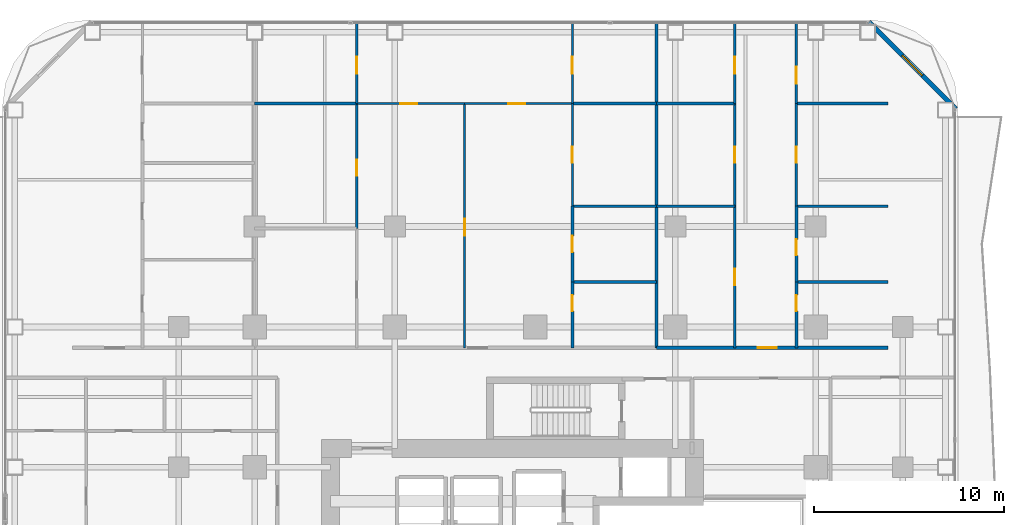
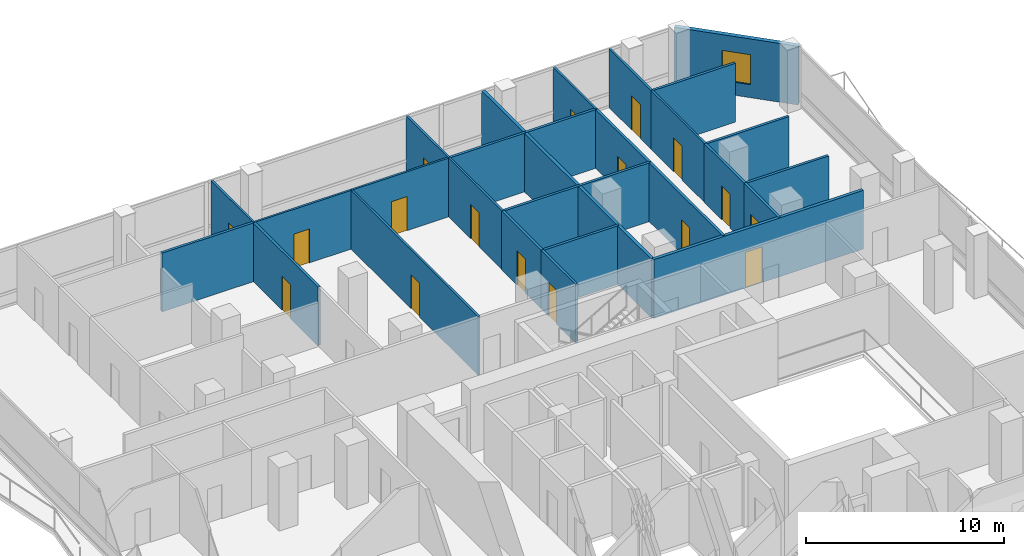
# One storey, part 23 of 28: 28 walls, 17 doors, 1 window, 18 openings.
"""IFC4 building model written with IfcOpenShell, lengths in metres."""

from ifc_helpers import new_model, si_unit, direction, frame, frame_2d, origin, place, context, subcontext, project, spatial, rectangle, extrude, material, layer, layer_set, type_object, element, fill, save


model = new_model("IFC4")

# Units and contexts
model_context = context("Model", 3, precision=1e-05, world=origin(), true_north=direction((0.0, 1.0)))
body_context = subcontext(model_context, "Body", "Model", "MODEL_VIEW")
ifc_project = project(units=[si_unit("LENGTHUNIT", "METRE"), si_unit("AREAUNIT", "SQUARE_METRE"), si_unit("VOLUMEUNIT", "CUBIC_METRE"), si_unit("PLANEANGLEUNIT", "RADIAN"), si_unit("MASSUNIT", "GRAM", prefix="KILO")], contexts=[model_context])

# Site, building, storey
site_placement = place(None, origin())
site = spatial("IfcSite", under=ifc_project, at=site_placement, CompositionType="ELEMENT")
building_placement = place(site_placement, origin())
building = spatial("IfcBuilding", under=site, at=building_placement, Name="Khorvyn Point Tower", CompositionType="ELEMENT")
storey_placement = place(building_placement, frame((0.0, 0.0, 104.699951171875)))
storey = spatial("IfcBuildingStorey", under=building, at=storey_placement, Name="L26", CompositionType="ELEMENT", Elevation=104.699951171875)

# Wall, opening, door
ifc_material_1 = material(Name="Double acoustic gypsum on twin steel stud", Category="steel")
ifc_layer_1 = layer(ifc_material_1, 0.179931640625)
ifc_layer_set_1 = layer_set([ifc_layer_1], Name="Acoustic Double-Stud Apartment Demising Wall 180")
wall_type_1 = type_object("IfcWallType", Name="Acoustic Double-Stud Apartment Demising Wall 180", PredefinedType="PARTITIONING", material=ifc_layer_set_1)
wall_1_placement = place(storey_placement, frame((6.404052734375, 13.699951171875, 0.0), z_axis=(0.0, 0.0, 1.0), x_axis=(1.0, 0.0, 0.0)))
wall_1 = element("IfcWall", 1, at=wall_1_placement, inside=storey, type_object=wall_type_1, Name="Wall", PredefinedType="PARTITIONING", context=body_context, shape_type="SweptSolid", body=[
    extrude(rectangle(XDim=12.216064453125, YDim=0.179931640625, at=frame_2d((6.10791015625, 0.0))), origin(), (0.0, 0.0, 1.0), 3.6201171875),
])
opening_1_placement = place(wall_1_placement, frame((5.340087890625, 0.0, 0.0)))
opening_1 = element("IfcOpeningElement", 2, at=opening_1_placement, cuts=wall_1, Name="Opening ID-AP60", PredefinedType="OPENING", context=body_context, shape_type="SweptSolid", body=[
    extrude(rectangle(XDim=1.0, YDim=2.199951171875, at=frame_2d((0.5, 1.10009765625))), frame((0.0, 0.099853515625, 0.0), z_axis=(0.0, -1.0, 0.0), x_axis=(1.0, 0.0, 0.0)), (0.0, 0.0, 1.0), 0.199951171875),
])
ifc_material_2 = material(Name="Engineered hardwood fire-rated leaf", Category="wood")
door_type_1 = type_object("IfcDoorType", Name="Acoustic Solid-Core Timber Apartment Entrance Door 1000x2200", OperationType="NOTDEFINED", PredefinedType="DOOR", material=ifc_material_2)
door_1_placement = place(opening_1_placement, origin())
door_1 = element("IfcDoor", 3, at=door_1_placement, inside=storey, type_object=door_type_1, Name="Door", OperationType="SINGLE_SWING_RIGHT", OverallHeight=2.199951171875, OverallWidth=1.0, PredefinedType="DOOR", context=body_context, shape_type="SweptSolid", body=[
    extrude(rectangle(XDim=1.0, YDim=2.199951171875, at=frame_2d((0.5, 1.10009765625))), frame((0.0, 0.02490234375, 0.0), z_axis=(0.0, -1.0, 0.0), x_axis=(1.0, 0.0, 0.0)), (0.0, 0.0, 1.0), 0.050048828125),
])
fill(opening_1, door_1)

# Wall
wall_2_placement = place(storey_placement, frame((6.404052734375, 13.699951171875, 0.0), z_axis=(0.0, 0.0, 1.0), x_axis=(0.0, 1.0, 0.0)))
element("IfcWall", 4, at=wall_2_placement, inside=storey, type_object=wall_type_1, Name="Wall", PredefinedType="PARTITIONING", context=body_context, shape_type="SweptSolid", body=[
    extrude(rectangle(XDim=17.130126953125, YDim=0.179931640625, at=frame_2d((8.56494140625, 0.0))), origin(), (0.0, 0.0, 1.0), 3.6201171875),
])

# Wall, opening, window
ifc_material_3 = material(Name="Pale anodised aluminium rainscreen on steel stud", Category="steel")
ifc_layer_2 = layer(ifc_material_3, 0.239990234375)
ifc_layer_set_2 = layer_set([ifc_layer_2], Name="Anodised Aluminium Insulated Corner Spandrel Wall 240")
wall_type_2 = type_object("IfcWallType", Name="Anodised Aluminium Insulated Corner Spandrel Wall 240", PredefinedType="SOLIDWALL", material=ifc_layer_set_2)
wall_3_placement = place(storey_placement, frame((17.607666015625, 30.892333984375, 0.0), z_axis=(0.0, 0.0, 1.0), x_axis=(0.707106781187, -0.707106781187, 0.0)))
wall_3 = element("IfcWall", 5, at=wall_3_placement, inside=storey, type_object=wall_type_2, Name="L26 Rounded Corner Wall NE", PredefinedType="SOLIDWALL", context=body_context, shape_type="SweptSolid", body=[
    extrude(rectangle(XDim=6.48388671875, YDim=0.239990234375, at=frame_2d((3.241943359375, 0.0))), origin(), (0.0, 0.0, 1.0), 3.6201171875),
])
opening_2_placement = place(wall_3_placement, frame((2.491943359375, 0.0, 0.800048828125)))
opening_2 = element("IfcOpeningElement", 6, at=opening_2_placement, cuts=wall_3, Name="Opening WN-1518", PredefinedType="OPENING", context=body_context, shape_type="SweptSolid", body=[
    extrude(rectangle(XDim=1.5, YDim=1.85009765625, at=frame_2d((0.75, 0.925048828125))), frame((0.0, 0.1298828125, 0.0), z_axis=(0.0, -1.0, 0.0), x_axis=(1.0, 0.0, 0.0)), (0.0, 0.0, 1.0), 0.260009765625),
])
ifc_material_4 = material(Name="Anodised aluminium 6063-T6 and laminated Low-E glass", Category="aluminium")
window_type = type_object("IfcWindowType", Name="Anodised Aluminium Rounded-Corner Panoramic Window 1500x1850", PartitioningType="SINGLE_PANEL", PredefinedType="WINDOW", material=ifc_material_4)
window_placement = place(opening_2_placement, origin())
window = element("IfcWindow", 7, at=window_placement, inside=storey, type_object=window_type, Name="L26 Corner Panoramic Window NE", OverallHeight=1.85009765625, OverallWidth=1.5, PartitioningType="SINGLE_PANEL", PredefinedType="WINDOW", context=body_context, shape_type="SweptSolid", body=[
    extrude(rectangle(XDim=1.5, YDim=1.85009765625, at=frame_2d((0.75, 0.925048828125))), frame((0.0, 0.030029296875, 0.0), z_axis=(0.0, -1.0, 0.0), x_axis=(1.0, 0.0, 0.0)), (0.0, 0.0, 1.0), 0.06005859375),
])
fill(opening_2, window)

# Wall, opening, door
ifc_material_5 = material(Name="Gypsum plasterboard on steel stud", Category="steel")
ifc_layer_3 = layer(ifc_material_5, 0.1201171875)
ifc_layer_set_3 = layer_set([ifc_layer_3], Name="Gypsum Acoustic Stud Room Partition Wall 120")
wall_type_3 = type_object("IfcWallType", Name="Gypsum Acoustic Stud Room Partition Wall 120", PredefinedType="PARTITIONING", material=ifc_layer_set_3)
wall_4_placement = place(storey_placement, frame((-9.4140625, 26.590087890625, 0.0), z_axis=(0.0, 0.0, 1.0), x_axis=(1.0, 0.0, 0.0)))
wall_4 = element("IfcWall", 8, at=wall_4_placement, inside=storey, type_object=wall_type_3, Name="Wall", PredefinedType="PARTITIONING", context=body_context, shape_type="SweptSolid", body=[
    extrude(rectangle(XDim=5.691162109375, YDim=0.1201171875, at=frame_2d((2.845703125, 0.0))), origin(), (0.0, 0.0, 1.0), 3.6201171875),
])
opening_3_placement = place(wall_4_placement, frame((2.30615234375, 0.0, 0.0)))
opening_3 = element("IfcOpeningElement", 9, at=opening_3_placement, cuts=wall_4, Name="Opening ID-RM90", PredefinedType="OPENING", context=body_context, shape_type="SweptSolid", body=[
    extrude(rectangle(XDim=0.89990234375, YDim=2.10009765625, at=frame_2d((0.449951171875, 1.050048828125))), frame((0.0, 0.070068359375, 0.0), z_axis=(0.0, -1.0, 0.0), x_axis=(1.0, 0.0, 0.0)), (0.0, 0.0, 1.0), 0.14013671875),
])
ifc_material_6 = material(Name="Engineered oak veneer timber", Category="wood")
door_type_2 = type_object("IfcDoorType", Name="Flush Engineered Timber Room Door 900x2100", OperationType="NOTDEFINED", PredefinedType="DOOR", material=ifc_material_6)
door_2_placement = place(opening_3_placement, origin())
door_2 = element("IfcDoor", 10, at=door_2_placement, inside=storey, type_object=door_type_2, Name="Door", OperationType="SINGLE_SWING_RIGHT", OverallHeight=2.10009765625, OverallWidth=0.89990234375, PredefinedType="DOOR", context=body_context, shape_type="SweptSolid", body=[
    extrude(rectangle(XDim=0.89990234375, YDim=2.10009765625, at=frame_2d((0.449951171875, 1.050048828125))), frame((0.0, 0.02490234375, 0.0), z_axis=(0.0, -1.0, 0.0), x_axis=(1.0, 0.0, 0.0)), (0.0, 0.0, 1.0), 0.050048828125),
])
fill(opening_3, door_2)

wall_5_placement = place(storey_placement, frame((-3.722900390625, 26.590087890625, 0.0), z_axis=(0.0, 0.0, 1.0), x_axis=(1.0, 0.0, 0.0)))
wall_5 = element("IfcWall", 11, at=wall_5_placement, inside=storey, type_object=wall_type_3, Name="Wall", PredefinedType="PARTITIONING", context=body_context, shape_type="SweptSolid", body=[
    extrude(rectangle(XDim=5.68994140625, YDim=0.1201171875, at=frame_2d((2.844970703125, 0.0))), origin(), (0.0, 0.0, 1.0), 3.6201171875),
])
opening_4_placement = place(wall_5_placement, frame((2.3056640625, 0.0, 0.0)))
opening_4 = element("IfcOpeningElement", 12, at=opening_4_placement, cuts=wall_5, Name="Opening ID-RM90", PredefinedType="OPENING", context=body_context, shape_type="SweptSolid", body=[
    extrude(rectangle(XDim=0.89990234375, YDim=2.10009765625, at=frame_2d((0.449951171875, 1.050048828125))), frame((0.0, 0.070068359375, 0.0), z_axis=(0.0, -1.0, 0.0), x_axis=(1.0, 0.0, 0.0)), (0.0, 0.0, 1.0), 0.14013671875),
])
door_3_placement = place(opening_4_placement, origin())
door_3 = element("IfcDoor", 13, at=door_3_placement, inside=storey, type_object=door_type_2, Name="Door", OperationType="SINGLE_SWING_LEFT", OverallHeight=2.10009765625, OverallWidth=0.89990234375, PredefinedType="DOOR", context=body_context, shape_type="SweptSolid", body=[
    extrude(rectangle(XDim=0.89990234375, YDim=2.10009765625, at=frame_2d((0.449951171875, 1.050048828125))), frame((0.0, 0.02490234375, 0.0), z_axis=(0.0, -1.0, 0.0), x_axis=(1.0, 0.0, 0.0)), (0.0, 0.0, 1.0), 0.050048828125),
])
fill(opening_4, door_3)

wall_6_placement = place(storey_placement, frame((-3.722900390625, 13.699951171875, 0.0), z_axis=(0.0, 0.0, 1.0), x_axis=(0.0, 1.0, 0.0)))
wall_6 = element("IfcWall", 14, at=wall_6_placement, inside=storey, type_object=wall_type_3, Name="Wall", PredefinedType="PARTITIONING", context=body_context, shape_type="SweptSolid", body=[
    extrude(rectangle(XDim=12.89013671875, YDim=0.1201171875, at=frame_2d((6.445068359375, 0.0))), origin(), (0.0, 0.0, 1.0), 3.6201171875),
])
opening_5_placement = place(wall_6_placement, frame((5.9052734375, 0.0, 0.0)))
opening_5 = element("IfcOpeningElement", 15, at=opening_5_placement, cuts=wall_6, Name="Opening ID-RM90", PredefinedType="OPENING", context=body_context, shape_type="SweptSolid", body=[
    extrude(rectangle(XDim=0.89990234375, YDim=2.10009765625, at=frame_2d((0.449951171875, 1.050048828125))), frame((0.0, 0.070068359375, 0.0), z_axis=(0.0, -1.0, 0.0), x_axis=(1.0, 0.0, 0.0)), (0.0, 0.0, 1.0), 0.14013671875),
])
door_4_placement = place(opening_5_placement, origin())
door_4 = element("IfcDoor", 16, at=door_4_placement, inside=storey, type_object=door_type_2, Name="Door", OperationType="SINGLE_SWING_RIGHT", OverallHeight=2.10009765625, OverallWidth=0.89990234375, PredefinedType="DOOR", context=body_context, shape_type="SweptSolid", body=[
    extrude(rectangle(XDim=0.89990234375, YDim=2.10009765625, at=frame_2d((0.449951171875, 1.050048828125))), frame((0.0, 0.02490234375, 0.0), z_axis=(0.0, -1.0, 0.0), x_axis=(1.0, 0.0, 0.0)), (0.0, 0.0, 1.0), 0.050048828125),
])
fill(opening_5, door_4)

wall_7_placement = place(storey_placement, frame((-9.4140625, 26.590087890625, 0.0), z_axis=(0.0, 0.0, 1.0), x_axis=(0.0, 1.0, 0.0)))
wall_7 = element("IfcWall", 17, at=wall_7_placement, inside=storey, type_object=wall_type_3, Name="Wall", PredefinedType="PARTITIONING", context=body_context, shape_type="SweptSolid", body=[
    extrude(rectangle(XDim=4.239990234375, YDim=0.1201171875, at=frame_2d((2.1201171875, 0.0))), origin(), (0.0, 0.0, 1.0), 3.6201171875),
])
opening_6_placement = place(wall_7_placement, frame((1.581298828125, 0.0, 0.0)))
opening_6 = element("IfcOpeningElement", 18, at=opening_6_placement, cuts=wall_7, Name="Opening ID-RM90", PredefinedType="OPENING", context=body_context, shape_type="SweptSolid", body=[
    extrude(rectangle(XDim=0.89990234375, YDim=2.10009765625, at=frame_2d((0.449951171875, 1.050048828125))), frame((0.0, 0.070068359375, 0.0), z_axis=(0.0, -1.0, 0.0), x_axis=(1.0, 0.0, 0.0)), (0.0, 0.0, 1.0), 0.14013671875),
])
door_5_placement = place(opening_6_placement, origin())
door_5 = element("IfcDoor", 19, at=door_5_placement, inside=storey, type_object=door_type_2, Name="Door", OperationType="SINGLE_SWING_LEFT", OverallHeight=2.10009765625, OverallWidth=0.89990234375, PredefinedType="DOOR", context=body_context, shape_type="SweptSolid", body=[
    extrude(rectangle(XDim=0.89990234375, YDim=2.10009765625, at=frame_2d((0.449951171875, 1.050048828125))), frame((0.0, 0.02490234375, 0.0), z_axis=(0.0, -1.0, 0.0), x_axis=(1.0, 0.0, 0.0)), (0.0, 0.0, 1.0), 0.050048828125),
])
fill(opening_6, door_5)

wall_8_placement = place(storey_placement, frame((1.967041015625, 21.176025390625, 0.0), z_axis=(0.0, 0.0, 1.0), x_axis=(0.0, 1.0, 0.0)))
wall_8 = element("IfcWall", 20, at=wall_8_placement, inside=storey, type_object=wall_type_3, Name="Wall", PredefinedType="PARTITIONING", context=body_context, shape_type="SweptSolid", body=[
    extrude(rectangle(XDim=5.4140625, YDim=0.1201171875, at=frame_2d((2.70703125, 0.0))), origin(), (0.0, 0.0, 1.0), 3.6201171875),
])
opening_7_placement = place(wall_8_placement, frame((2.281982421875, 0.0, 0.0)))
opening_7 = element("IfcOpeningElement", 21, at=opening_7_placement, cuts=wall_8, Name="Opening ID-WC85", PredefinedType="OPENING", context=body_context, shape_type="SweptSolid", body=[
    extrude(rectangle(XDim=0.85009765625, YDim=2.10009765625, at=frame_2d((0.425048828125, 1.050048828125))), frame((0.0, 0.070068359375, 0.0), z_axis=(0.0, -1.0, 0.0), x_axis=(1.0, 0.0, 0.0)), (0.0, 0.0, 1.0), 0.14013671875),
])
ifc_material_7 = material(Name="High-pressure laminate on moisture-resistant core", Category="wood")
door_type_3 = type_object("IfcDoorType", Name="Moisture-Resistant Accessible Washroom Door 850x2100", OperationType="NOTDEFINED", PredefinedType="DOOR", material=ifc_material_7)
door_6_placement = place(opening_7_placement, origin())
door_6 = element("IfcDoor", 22, at=door_6_placement, inside=storey, type_object=door_type_3, Name="Door", OperationType="SINGLE_SWING_RIGHT", OverallHeight=2.10009765625, OverallWidth=0.85009765625, PredefinedType="DOOR", context=body_context, shape_type="SweptSolid", body=[
    extrude(rectangle(XDim=0.85009765625, YDim=2.10009765625, at=frame_2d((0.425048828125, 1.050048828125))), frame((0.0, 0.02490234375, 0.0), z_axis=(0.0, -1.0, 0.0), x_axis=(1.0, 0.0, 0.0)), (0.0, 0.0, 1.0), 0.050048828125),
])
fill(opening_7, door_6)

wall_9_placement = place(storey_placement, frame((1.967041015625, 26.590087890625, 0.0), z_axis=(0.0, 0.0, 1.0), x_axis=(0.0, 1.0, 0.0)))
wall_9 = element("IfcWall", 23, at=wall_9_placement, inside=storey, type_object=wall_type_3, Name="Wall", PredefinedType="PARTITIONING", context=body_context, shape_type="SweptSolid", body=[
    extrude(rectangle(XDim=4.239990234375, YDim=0.1201171875, at=frame_2d((2.1201171875, 0.0))), origin(), (0.0, 0.0, 1.0), 3.6201171875),
])
opening_8_placement = place(wall_9_placement, frame((1.581298828125, 0.0, 0.0)))
opening_8 = element("IfcOpeningElement", 24, at=opening_8_placement, cuts=wall_9, Name="Opening ID-RM90", PredefinedType="OPENING", context=body_context, shape_type="SweptSolid", body=[
    extrude(rectangle(XDim=0.89990234375, YDim=2.10009765625, at=frame_2d((0.449951171875, 1.050048828125))), frame((0.0, 0.070068359375, 0.0), z_axis=(0.0, -1.0, 0.0), x_axis=(1.0, 0.0, 0.0)), (0.0, 0.0, 1.0), 0.14013671875),
])
door_7_placement = place(opening_8_placement, origin())
door_7 = element("IfcDoor", 25, at=door_7_placement, inside=storey, type_object=door_type_2, Name="Door", OperationType="SINGLE_SWING_LEFT", OverallHeight=2.10009765625, OverallWidth=0.89990234375, PredefinedType="DOOR", context=body_context, shape_type="SweptSolid", body=[
    extrude(rectangle(XDim=0.89990234375, YDim=2.10009765625, at=frame_2d((0.449951171875, 1.050048828125))), frame((0.0, 0.02490234375, 0.0), z_axis=(0.0, -1.0, 0.0), x_axis=(1.0, 0.0, 0.0)), (0.0, 0.0, 1.0), 0.050048828125),
])
fill(opening_8, door_7)

wall_10_placement = place(storey_placement, frame((10.532958984375, 26.590087890625, 0.0), z_axis=(0.0, 0.0, 1.0), x_axis=(0.0, 1.0, 0.0)))
wall_10 = element("IfcWall", 26, at=wall_10_placement, inside=storey, type_object=wall_type_3, Name="Wall", PredefinedType="PARTITIONING", context=body_context, shape_type="SweptSolid", body=[
    extrude(rectangle(XDim=4.239990234375, YDim=0.1201171875, at=frame_2d((2.1201171875, 0.0))), origin(), (0.0, 0.0, 1.0), 3.6201171875),
])
opening_9_placement = place(wall_10_placement, frame((1.581298828125, 0.0, 0.0)))
opening_9 = element("IfcOpeningElement", 27, at=opening_9_placement, cuts=wall_10, Name="Opening ID-RM90", PredefinedType="OPENING", context=body_context, shape_type="SweptSolid", body=[
    extrude(rectangle(XDim=0.89990234375, YDim=2.10009765625, at=frame_2d((0.449951171875, 1.050048828125))), frame((0.0, 0.070068359375, 0.0), z_axis=(0.0, -1.0, 0.0), x_axis=(1.0, 0.0, 0.0)), (0.0, 0.0, 1.0), 0.14013671875),
])
door_8_placement = place(opening_9_placement, origin())
door_8 = element("IfcDoor", 28, at=door_8_placement, inside=storey, type_object=door_type_2, Name="Door", OperationType="SINGLE_SWING_LEFT", OverallHeight=2.10009765625, OverallWidth=0.89990234375, PredefinedType="DOOR", context=body_context, shape_type="SweptSolid", body=[
    extrude(rectangle(XDim=0.89990234375, YDim=2.10009765625, at=frame_2d((0.449951171875, 1.050048828125))), frame((0.0, 0.02490234375, 0.0), z_axis=(0.0, -1.0, 0.0), x_axis=(1.0, 0.0, 0.0)), (0.0, 0.0, 1.0), 0.050048828125),
])
fill(opening_9, door_8)

wall_11_placement = place(storey_placement, frame((13.782958984375, 21.176025390625, 0.0), z_axis=(0.0, 0.0, 1.0), x_axis=(0.0, 1.0, 0.0)))
wall_11 = element("IfcWall", 29, at=wall_11_placement, inside=storey, type_object=wall_type_3, Name="Wall", PredefinedType="PARTITIONING", context=body_context, shape_type="SweptSolid", body=[
    extrude(rectangle(XDim=5.4140625, YDim=0.1201171875, at=frame_2d((2.70703125, 0.0))), origin(), (0.0, 0.0, 1.0), 3.6201171875),
])
opening_10_placement = place(wall_11_placement, frame((2.281982421875, 0.0, 0.0)))
opening_10 = element("IfcOpeningElement", 30, at=opening_10_placement, cuts=wall_11, Name="Opening ID-WC85", PredefinedType="OPENING", context=body_context, shape_type="SweptSolid", body=[
    extrude(rectangle(XDim=0.85009765625, YDim=2.10009765625, at=frame_2d((0.425048828125, 1.050048828125))), frame((0.0, 0.070068359375, 0.0), z_axis=(0.0, -1.0, 0.0), x_axis=(1.0, 0.0, 0.0)), (0.0, 0.0, 1.0), 0.14013671875),
])
door_9_placement = place(opening_10_placement, origin())
door_9 = element("IfcDoor", 31, at=door_9_placement, inside=storey, type_object=door_type_3, Name="Door", OperationType="SINGLE_SWING_RIGHT", OverallHeight=2.10009765625, OverallWidth=0.85009765625, PredefinedType="DOOR", context=body_context, shape_type="SweptSolid", body=[
    extrude(rectangle(XDim=0.85009765625, YDim=2.10009765625, at=frame_2d((0.425048828125, 1.050048828125))), frame((0.0, 0.02490234375, 0.0), z_axis=(0.0, -1.0, 0.0), x_axis=(1.0, 0.0, 0.0)), (0.0, 0.0, 1.0), 0.050048828125),
])
fill(opening_10, door_9)

wall_12_placement = place(storey_placement, frame((13.782958984375, 26.590087890625, 0.0), z_axis=(0.0, 0.0, 1.0), x_axis=(0.0, 1.0, 0.0)))
wall_12 = element("IfcWall", 32, at=wall_12_placement, inside=storey, type_object=wall_type_3, Name="Wall", PredefinedType="PARTITIONING", context=body_context, shape_type="SweptSolid", body=[
    extrude(rectangle(XDim=4.239990234375, YDim=0.1201171875, at=frame_2d((2.1201171875, 0.0))), origin(), (0.0, 0.0, 1.0), 3.6201171875),
])
opening_11_placement = place(wall_12_placement, frame((1.048095703125, 0.0, 0.0)))
opening_11 = element("IfcOpeningElement", 33, at=opening_11_placement, cuts=wall_12, Name="Opening ID-RM90", PredefinedType="OPENING", context=body_context, shape_type="SweptSolid", body=[
    extrude(rectangle(XDim=0.89990234375, YDim=2.10009765625, at=frame_2d((0.449951171875, 1.050048828125))), frame((0.0, 0.070068359375, 0.0), z_axis=(0.0, -1.0, 0.0), x_axis=(1.0, 0.0, 0.0)), (0.0, 0.0, 1.0), 0.14013671875),
])
door_10_placement = place(opening_11_placement, origin())
door_10 = element("IfcDoor", 34, at=door_10_placement, inside=storey, type_object=door_type_2, Name="Door", OperationType="SINGLE_SWING_LEFT", OverallHeight=2.10009765625, OverallWidth=0.89990234375, PredefinedType="DOOR", context=body_context, shape_type="SweptSolid", body=[
    extrude(rectangle(XDim=0.89990234375, YDim=2.10009765625, at=frame_2d((0.449951171875, 1.050048828125))), frame((0.0, 0.02490234375, 0.0), z_axis=(0.0, -1.0, 0.0), x_axis=(1.0, 0.0, 0.0)), (0.0, 0.0, 1.0), 0.050048828125),
])
fill(opening_11, door_10)

ifc_material_8 = material(Name="Moisture-resistant gypsum and cement board", Category="gypsum")
ifc_layer_4 = layer(ifc_material_8, 0.14990234375)
ifc_layer_set_4 = layer_set([ifc_layer_4], Name="Moisture-Resistant Wet-Room Partition Wall 150")
wall_type_4 = type_object("IfcWallType", Name="Moisture-Resistant Wet-Room Partition Wall 150", PredefinedType="PARTITIONING", material=ifc_layer_set_4)
wall_13_placement = place(storey_placement, frame((-9.4140625, 20.0029296875, 0.0), z_axis=(0.0, 0.0, 1.0), x_axis=(0.0, 1.0, 0.0)))
wall_13 = element("IfcWall", 35, at=wall_13_placement, inside=storey, type_object=wall_type_4, Name="Wall", PredefinedType="PARTITIONING", context=body_context, shape_type="SweptSolid", body=[
    extrude(rectangle(XDim=6.587158203125, YDim=0.14990234375, at=frame_2d((3.29345703125, 0.0))), origin(), (0.0, 0.0, 1.0), 3.6201171875),
])
opening_12_placement = place(wall_13_placement, frame((2.781005859375, 0.0, 0.0)))
opening_12 = element("IfcOpeningElement", 36, at=opening_12_placement, cuts=wall_13, Name="Opening ID-WC85", PredefinedType="OPENING", context=body_context, shape_type="SweptSolid", body=[
    extrude(rectangle(XDim=0.85009765625, YDim=2.10009765625, at=frame_2d((0.425048828125, 1.050048828125))), frame((0.0, 0.0849609375, 0.0), z_axis=(0.0, -1.0, 0.0), x_axis=(1.0, 0.0, 0.0)), (0.0, 0.0, 1.0), 0.169921875),
])
door_11_placement = place(opening_12_placement, origin())
door_11 = element("IfcDoor", 37, at=door_11_placement, inside=storey, type_object=door_type_3, Name="Door", OperationType="SINGLE_SWING_RIGHT", OverallHeight=2.10009765625, OverallWidth=0.85009765625, PredefinedType="DOOR", context=body_context, shape_type="SweptSolid", body=[
    extrude(rectangle(XDim=0.85009765625, YDim=2.10009765625, at=frame_2d((0.425048828125, 1.050048828125))), frame((0.0, 0.02490234375, 0.0), z_axis=(0.0, -1.0, 0.0), x_axis=(1.0, 0.0, 0.0)), (0.0, 0.0, 1.0), 0.050048828125),
])
fill(opening_12, door_11)

wall_14_placement = place(storey_placement, frame((1.967041015625, 13.699951171875, 0.0), z_axis=(0.0, 0.0, 1.0), x_axis=(0.0, 1.0, 0.0)))
wall_14 = element("IfcWall", 38, at=wall_14_placement, inside=storey, type_object=wall_type_4, Name="Wall", PredefinedType="PARTITIONING", context=body_context, shape_type="SweptSolid", body=[
    extrude(rectangle(XDim=3.47998046875, YDim=0.14990234375, at=frame_2d((1.739990234375, 0.0))), origin(), (0.0, 0.0, 1.0), 3.6201171875),
])
opening_13_placement = place(wall_14_placement, frame((1.93701171875, 0.0, 0.0)))
opening_13 = element("IfcOpeningElement", 39, at=opening_13_placement, cuts=wall_14, Name="Opening ID-WC85", PredefinedType="OPENING", context=body_context, shape_type="SweptSolid", body=[
    extrude(rectangle(XDim=0.85009765625, YDim=2.10009765625, at=frame_2d((0.425048828125, 1.050048828125))), frame((0.0, 0.0849609375, 0.0), z_axis=(0.0, -1.0, 0.0), x_axis=(1.0, 0.0, 0.0)), (0.0, 0.0, 1.0), 0.169921875),
])
door_12_placement = place(opening_13_placement, origin())
door_12 = element("IfcDoor", 40, at=door_12_placement, inside=storey, type_object=door_type_3, Name="Door", OperationType="SINGLE_SWING_RIGHT", OverallHeight=2.10009765625, OverallWidth=0.85009765625, PredefinedType="DOOR", context=body_context, shape_type="SweptSolid", body=[
    extrude(rectangle(XDim=0.85009765625, YDim=2.10009765625, at=frame_2d((0.425048828125, 1.050048828125))), frame((0.0, 0.02490234375, 0.0), z_axis=(0.0, -1.0, 0.0), x_axis=(1.0, 0.0, 0.0)), (0.0, 0.0, 1.0), 0.050048828125),
])
fill(opening_13, door_12)

wall_15_placement = place(storey_placement, frame((1.967041015625, 17.179931640625, 0.0), z_axis=(0.0, 0.0, 1.0), x_axis=(0.0, 1.0, 0.0)))
wall_15 = element("IfcWall", 41, at=wall_15_placement, inside=storey, type_object=wall_type_4, Name="Wall", PredefinedType="PARTITIONING", context=body_context, shape_type="SweptSolid", body=[
    extrude(rectangle(XDim=3.99609375, YDim=0.14990234375, at=frame_2d((1.998046875, 0.0))), origin(), (0.0, 0.0, 1.0), 3.6201171875),
])
opening_14_placement = place(wall_15_placement, frame((1.572998046875, 0.0, 0.0)))
opening_14 = element("IfcOpeningElement", 42, at=opening_14_placement, cuts=wall_15, Name="Opening ID-WC85", PredefinedType="OPENING", context=body_context, shape_type="SweptSolid", body=[
    extrude(rectangle(XDim=0.85009765625, YDim=2.10009765625, at=frame_2d((0.425048828125, 1.050048828125))), frame((0.0, 0.0849609375, 0.0), z_axis=(0.0, -1.0, 0.0), x_axis=(1.0, 0.0, 0.0)), (0.0, 0.0, 1.0), 0.169921875),
])
door_13_placement = place(opening_14_placement, origin())
door_13 = element("IfcDoor", 43, at=door_13_placement, inside=storey, type_object=door_type_3, Name="Door", OperationType="SINGLE_SWING_LEFT", OverallHeight=2.10009765625, OverallWidth=0.85009765625, PredefinedType="DOOR", context=body_context, shape_type="SweptSolid", body=[
    extrude(rectangle(XDim=0.85009765625, YDim=2.10009765625, at=frame_2d((0.425048828125, 1.050048828125))), frame((0.0, 0.02490234375, 0.0), z_axis=(0.0, -1.0, 0.0), x_axis=(1.0, 0.0, 0.0)), (0.0, 0.0, 1.0), 0.050048828125),
])
fill(opening_14, door_13)

wall_16_placement = place(storey_placement, frame((10.532958984375, 13.699951171875, 0.0), z_axis=(0.0, 0.0, 1.0), x_axis=(0.0, 1.0, 0.0)))
wall_16 = element("IfcWall", 44, at=wall_16_placement, inside=storey, type_object=wall_type_4, Name="Wall", PredefinedType="PARTITIONING", context=body_context, shape_type="SweptSolid", body=[
    extrude(rectangle(XDim=7.47607421875, YDim=0.14990234375, at=frame_2d((3.738037109375, 0.0))), origin(), (0.0, 0.0, 1.0), 3.6201171875),
])
opening_15_placement = place(wall_16_placement, frame((3.31298828125, 0.0, 0.0)))
opening_15 = element("IfcOpeningElement", 45, at=opening_15_placement, cuts=wall_16, Name="Opening ID-WC85", PredefinedType="OPENING", context=body_context, shape_type="SweptSolid", body=[
    extrude(rectangle(XDim=0.85009765625, YDim=2.10009765625, at=frame_2d((0.425048828125, 1.050048828125))), frame((0.0, 0.0849609375, 0.0), z_axis=(0.0, -1.0, 0.0), x_axis=(1.0, 0.0, 0.0)), (0.0, 0.0, 1.0), 0.169921875),
])
door_14_placement = place(opening_15_placement, origin())
door_14 = element("IfcDoor", 46, at=door_14_placement, inside=storey, type_object=door_type_3, Name="Door", OperationType="SINGLE_SWING_LEFT", OverallHeight=2.10009765625, OverallWidth=0.85009765625, PredefinedType="DOOR", context=body_context, shape_type="SweptSolid", body=[
    extrude(rectangle(XDim=0.85009765625, YDim=2.10009765625, at=frame_2d((0.425048828125, 1.050048828125))), frame((0.0, 0.02490234375, 0.0), z_axis=(0.0, -1.0, 0.0), x_axis=(1.0, 0.0, 0.0)), (0.0, 0.0, 1.0), 0.050048828125),
])
fill(opening_15, door_14)

wall_17_placement = place(storey_placement, frame((10.532958984375, 21.176025390625, 0.0), z_axis=(0.0, 0.0, 1.0), x_axis=(0.0, 1.0, 0.0)))
wall_17 = element("IfcWall", 47, at=wall_17_placement, inside=storey, type_object=wall_type_4, Name="Wall", PredefinedType="PARTITIONING", context=body_context, shape_type="SweptSolid", body=[
    extrude(rectangle(XDim=5.4140625, YDim=0.14990234375, at=frame_2d((2.70703125, 0.0))), origin(), (0.0, 0.0, 1.0), 3.6201171875),
])
opening_16_placement = place(wall_17_placement, frame((2.281982421875, 0.0, 0.0)))
opening_16 = element("IfcOpeningElement", 48, at=opening_16_placement, cuts=wall_17, Name="Opening ID-WC85", PredefinedType="OPENING", context=body_context, shape_type="SweptSolid", body=[
    extrude(rectangle(XDim=0.85009765625, YDim=2.10009765625, at=frame_2d((0.425048828125, 1.050048828125))), frame((0.0, 0.0849609375, 0.0), z_axis=(0.0, -1.0, 0.0), x_axis=(1.0, 0.0, 0.0)), (0.0, 0.0, 1.0), 0.169921875),
])
door_15_placement = place(opening_16_placement, origin())
door_15 = element("IfcDoor", 49, at=door_15_placement, inside=storey, type_object=door_type_3, Name="Door", OperationType="SINGLE_SWING_RIGHT", OverallHeight=2.10009765625, OverallWidth=0.85009765625, PredefinedType="DOOR", context=body_context, shape_type="SweptSolid", body=[
    extrude(rectangle(XDim=0.85009765625, YDim=2.10009765625, at=frame_2d((0.425048828125, 1.050048828125))), frame((0.0, 0.02490234375, 0.0), z_axis=(0.0, -1.0, 0.0), x_axis=(1.0, 0.0, 0.0)), (0.0, 0.0, 1.0), 0.050048828125),
])
fill(opening_16, door_15)

wall_18_placement = place(storey_placement, frame((13.782958984375, 13.699951171875, 0.0), z_axis=(0.0, 0.0, 1.0), x_axis=(0.0, 1.0, 0.0)))
wall_18 = element("IfcWall", 50, at=wall_18_placement, inside=storey, type_object=wall_type_4, Name="Wall", PredefinedType="PARTITIONING", context=body_context, shape_type="SweptSolid", body=[
    extrude(rectangle(XDim=3.47998046875, YDim=0.14990234375, at=frame_2d((1.739990234375, 0.0))), origin(), (0.0, 0.0, 1.0), 3.6201171875),
])
opening_17_placement = place(wall_18_placement, frame((1.93701171875, 0.0, 0.0)))
opening_17 = element("IfcOpeningElement", 51, at=opening_17_placement, cuts=wall_18, Name="Opening ID-WC85", PredefinedType="OPENING", context=body_context, shape_type="SweptSolid", body=[
    extrude(rectangle(XDim=0.85009765625, YDim=2.10009765625, at=frame_2d((0.425048828125, 1.050048828125))), frame((0.0, 0.0849609375, 0.0), z_axis=(0.0, -1.0, 0.0), x_axis=(1.0, 0.0, 0.0)), (0.0, 0.0, 1.0), 0.169921875),
])
door_16_placement = place(opening_17_placement, origin())
door_16 = element("IfcDoor", 52, at=door_16_placement, inside=storey, type_object=door_type_3, Name="Door", OperationType="SINGLE_SWING_RIGHT", OverallHeight=2.10009765625, OverallWidth=0.85009765625, PredefinedType="DOOR", context=body_context, shape_type="SweptSolid", body=[
    extrude(rectangle(XDim=0.85009765625, YDim=2.10009765625, at=frame_2d((0.425048828125, 1.050048828125))), frame((0.0, 0.02490234375, 0.0), z_axis=(0.0, -1.0, 0.0), x_axis=(1.0, 0.0, 0.0)), (0.0, 0.0, 1.0), 0.050048828125),
])
fill(opening_17, door_16)

wall_19_placement = place(storey_placement, frame((13.782958984375, 17.179931640625, 0.0), z_axis=(0.0, 0.0, 1.0), x_axis=(0.0, 1.0, 0.0)))
wall_19 = element("IfcWall", 53, at=wall_19_placement, inside=storey, type_object=wall_type_4, Name="Wall", PredefinedType="PARTITIONING", context=body_context, shape_type="SweptSolid", body=[
    extrude(rectangle(XDim=3.99609375, YDim=0.14990234375, at=frame_2d((1.998046875, 0.0))), origin(), (0.0, 0.0, 1.0), 3.6201171875),
])
opening_18_placement = place(wall_19_placement, frame((1.396484375, 0.0, 0.0)))
opening_18 = element("IfcOpeningElement", 54, at=opening_18_placement, cuts=wall_19, Name="Opening ID-WC85", PredefinedType="OPENING", context=body_context, shape_type="SweptSolid", body=[
    extrude(rectangle(XDim=0.85009765625, YDim=2.10009765625, at=frame_2d((0.425048828125, 1.050048828125))), frame((0.0, 0.0849609375, 0.0), z_axis=(0.0, -1.0, 0.0), x_axis=(1.0, 0.0, 0.0)), (0.0, 0.0, 1.0), 0.169921875),
])
door_17_placement = place(opening_18_placement, origin())
door_17 = element("IfcDoor", 55, at=door_17_placement, inside=storey, type_object=door_type_3, Name="Door", OperationType="SINGLE_SWING_LEFT", OverallHeight=2.10009765625, OverallWidth=0.85009765625, PredefinedType="DOOR", context=body_context, shape_type="SweptSolid", body=[
    extrude(rectangle(XDim=0.85009765625, YDim=2.10009765625, at=frame_2d((0.425048828125, 1.050048828125))), frame((0.0, 0.02490234375, 0.0), z_axis=(0.0, -1.0, 0.0), x_axis=(1.0, 0.0, 0.0)), (0.0, 0.0, 1.0), 0.050048828125),
])
fill(opening_18, door_17)

# Walls
wall_20_placement = place(storey_placement, frame((-14.80810546875, 26.590087890625, 0.0), z_axis=(0.0, 0.0, 1.0), x_axis=(1.0, 0.0, 0.0)))
element("IfcWall", 56, at=wall_20_placement, inside=storey, type_object=wall_type_4, Name="Wall", PredefinedType="PARTITIONING", context=body_context, shape_type="SweptSolid", body=[
    extrude(rectangle(XDim=5.39404296875, YDim=0.14990234375, at=frame_2d((2.697021484375, 0.0))), origin(), (0.0, 0.0, 1.0), 3.6201171875),
])
for number, where, z_axis, x_axis, name in (
    (57, (1.967041015625, 17.179931640625, 0.0), (0.0, 0.0, 1.0), (1.0, 0.0, 0.0), "Wall"),
    (58, (1.967041015625, 21.176025390625, 0.0), (0.0, 0.0, 1.0), (1.0, 0.0, 0.0), "Wall"),
    (59, (1.967041015625, 26.590087890625, 0.0), (0.0, 0.0, 1.0), (1.0, 0.0, 0.0), "Wall"),
):
    element("IfcWall", number, at=place(storey_placement, frame(where, z_axis=z_axis, x_axis=x_axis)), inside=storey, type_object=wall_type_4, Name=name, PredefinedType="PARTITIONING", context=body_context, shape_type="SweptSolid", body=[
        extrude(rectangle(XDim=4.43701171875, YDim=0.14990234375, at=frame_2d((2.218505859375, 0.0))), origin(), (0.0, 0.0, 1.0), 3.6201171875),
    ])
for number, where, z_axis, x_axis, name in (
    (60, (6.404052734375, 21.176025390625, 0.0), (0.0, 0.0, 1.0), (1.0, 0.0, 0.0), "Wall"),
    (61, (6.404052734375, 26.590087890625, 0.0), (0.0, 0.0, 1.0), (1.0, 0.0, 0.0), "Wall"),
):
    element("IfcWall", number, at=place(storey_placement, frame(where, z_axis=z_axis, x_axis=x_axis)), inside=storey, type_object=wall_type_4, Name=name, PredefinedType="PARTITIONING", context=body_context, shape_type="SweptSolid", body=[
        extrude(rectangle(XDim=4.12890625, YDim=0.14990234375, at=frame_2d((2.064453125, 0.0))), origin(), (0.0, 0.0, 1.0), 3.6201171875),
    ])
for number, where, z_axis, x_axis, name in (
    (62, (13.782958984375, 17.179931640625, 0.0), (0.0, 0.0, 1.0), (1.0, 0.0, 0.0), "Wall"),
    (63, (13.782958984375, 21.176025390625, 0.0), (0.0, 0.0, 1.0), (1.0, 0.0, 0.0), "Wall"),
    (64, (13.782958984375, 26.590087890625, 0.0), (0.0, 0.0, 1.0), (1.0, 0.0, 0.0), "Wall"),
):
    element("IfcWall", number, at=place(storey_placement, frame(where, z_axis=z_axis, x_axis=x_axis)), inside=storey, type_object=wall_type_4, Name=name, PredefinedType="PARTITIONING", context=body_context, shape_type="SweptSolid", body=[
        extrude(rectangle(XDim=4.837158203125, YDim=0.14990234375, at=frame_2d((2.41845703125, 0.0))), origin(), (0.0, 0.0, 1.0), 3.6201171875),
    ])

save(model, "model.ifc")
